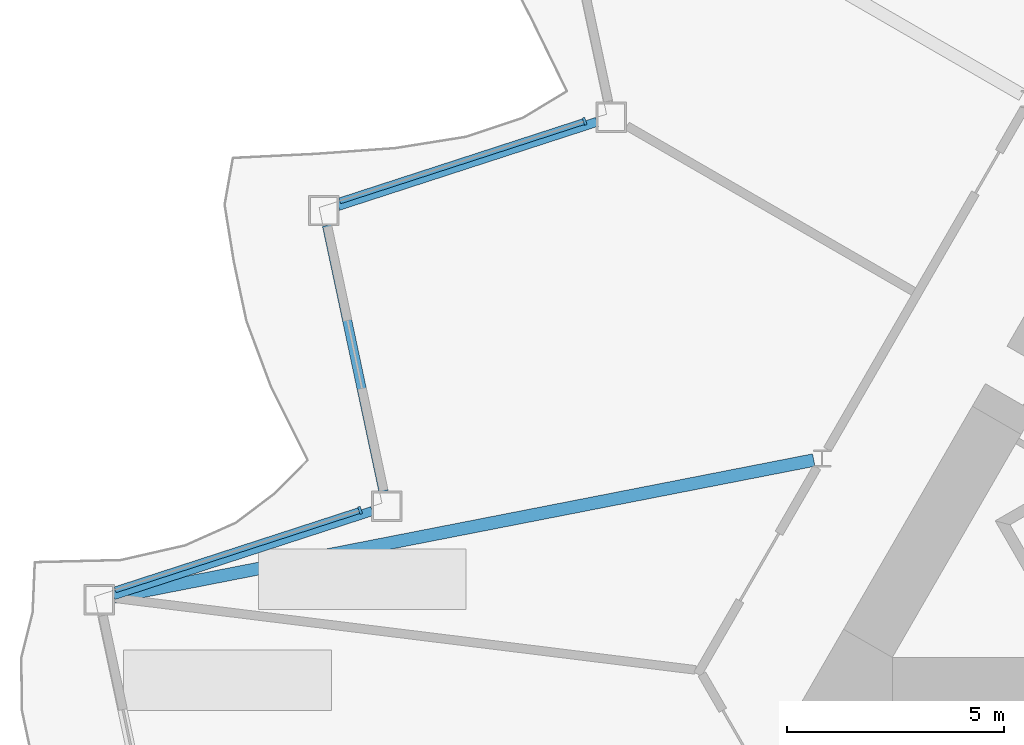
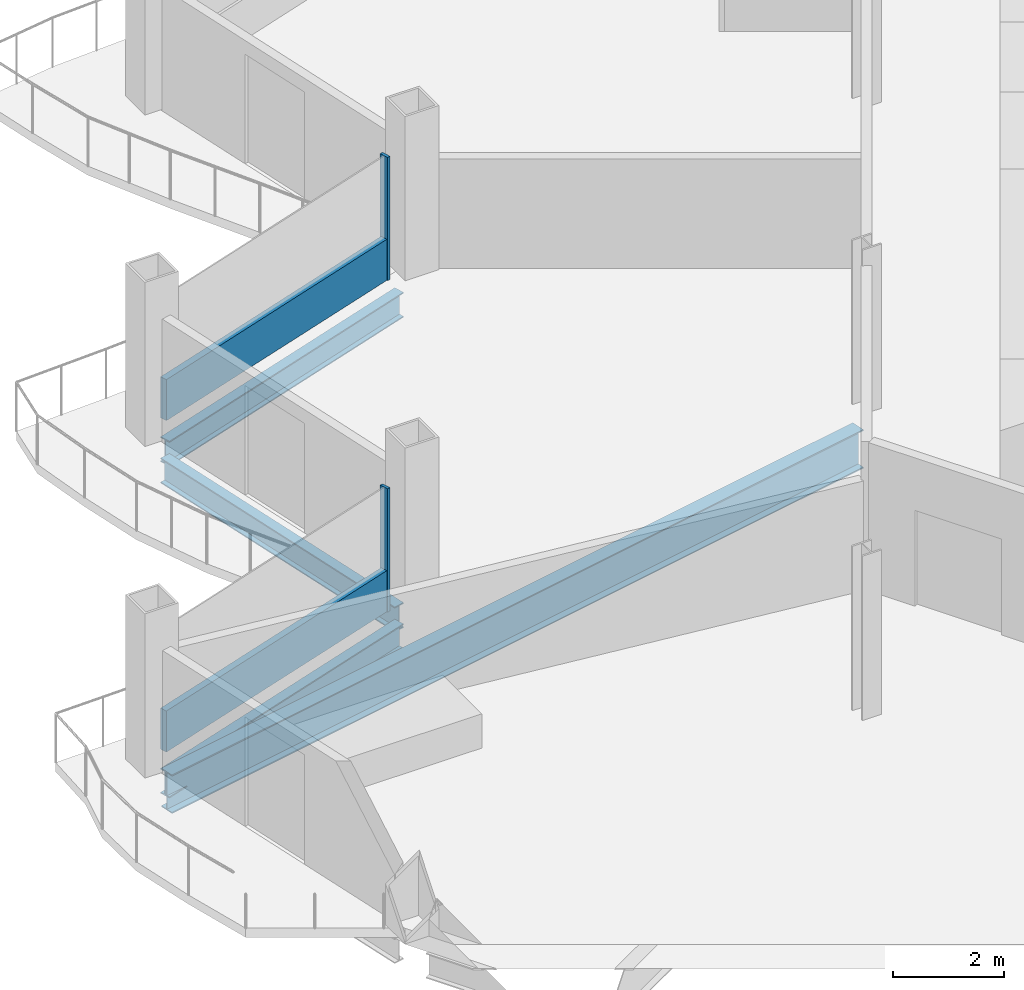
# One storey, part 5 of 24: 4 beams, 4 members, 2 elements without a shape of their own.
"""IFC4 building model written with IfcOpenShell, lengths in metres."""

from ifc_helpers import new_model, si_unit, direction, frame, origin, origin_2d, place, context, subcontext, project, spatial, rectangle, i_section, extrude, material, layer, layer_set, material_profile, profile_set, type_object, element, aggregate, save


model = new_model("IFC4")

# Units and contexts
model_context = context("Model", 3, precision=1e-05, world=origin(), true_north=direction((0.0, 1.0)))
body_context = subcontext(model_context, "Body", "Model", "MODEL_VIEW")
ifc_project = project(units=[si_unit("LENGTHUNIT", "METRE"), si_unit("AREAUNIT", "SQUARE_METRE"), si_unit("VOLUMEUNIT", "CUBIC_METRE"), si_unit("PLANEANGLEUNIT", "RADIAN"), si_unit("MASSUNIT", "GRAM", prefix="KILO")], contexts=[model_context])

# Site, building, storey
site_placement = place(None, origin())
site = spatial("IfcSite", under=ifc_project, at=site_placement, CompositionType="ELEMENT")
building_placement = place(site_placement, origin())
building = spatial("IfcBuilding", under=site, at=building_placement, Name="Cormorant Prow Tower", CompositionType="ELEMENT")
storey_placement = place(building_placement, frame((0.0, 0.0, 270.60009765625)))
storey = spatial("IfcBuildingStorey", under=building, at=storey_placement, Name="L61", CompositionType="ELEMENT", Elevation=270.60009765625)

# Curtain wall, member
ifc_material_1 = material(Name="Aluminium 6063-T6", Category="aluminium")
ifc_layer = layer(ifc_material_1, 0.179931640625)
ifc_layer_set = layer_set([ifc_layer], Name="Aluminium 6063-T6")
curtain_wall_type = type_object("IfcCurtainWallType", Name="Hotel unitised curtain wall 180", PredefinedType="NOTDEFINED", material=ifc_layer_set)
curtain_wall_1_placement = place(storey_placement, origin())
curtain_wall_1 = element("IfcCurtainWall", 1, at=curtain_wall_1_placement, inside=storey, type_object=curtain_wall_type, Name="Hotel curtain wall WNW06", PredefinedType="NOTDEFINED")
ifc_material_2 = material(Name="Aluminium 6063-T6", Category="aluminium")
ifc_material_profile_1 = material_profile(ifc_material_2, rectangle(XDim=0.179931640625, YDim=0.06005859375, at=origin_2d()), Name="Hotel mullion 60x180")
ifc_profile_set_1 = profile_set([ifc_material_profile_1], Name="Aluminium 6063-T6")
member_type_1 = type_object("IfcMemberType", Name="Hotel mullion 60x180", PredefinedType="MULLION", material=ifc_profile_set_1)
member_1_placement = place(storey_placement, frame((-19.852294921875, 5.0185546875, 0.0), z_axis=(0.0, 0.0, 1.0), x_axis=(0.309016992698, -0.95105651684, 0.0)))
member_1 = element("IfcMember", 2, at=member_1_placement, type_object=member_type_1, Name="Hotel mullion WNW06", PredefinedType="MULLION", context=body_context, shape_type="SweptSolid", body=[
    extrude(rectangle(XDim=0.179931640625, YDim=0.06005859375, at=origin_2d()), origin(), (0.0, 0.0, 1.0), 2.70068359375),
])

curtain_wall_2_placement = place(storey_placement, origin())
curtain_wall_2 = element("IfcCurtainWall", 3, at=curtain_wall_2_placement, inside=storey, type_object=curtain_wall_type, Name="Hotel curtain wall WNW08", PredefinedType="NOTDEFINED")
member_2_placement = place(storey_placement, frame((-25.037353515625, -3.96240234375, 0.0), z_axis=(0.0, 0.0, 1.0), x_axis=(0.309016992698, -0.95105651684, 0.0)))
member_2 = element("IfcMember", 4, at=member_2_placement, type_object=member_type_1, Name="Hotel mullion WNW08", PredefinedType="MULLION", context=body_context, shape_type="SweptSolid", body=[
    extrude(rectangle(XDim=0.179931640625, YDim=0.06005859375, at=origin_2d()), origin(), (0.0, 0.0, 1.0), 2.70068359375),
])

# Member
ifc_material_3 = material(Name="Terracotta", Category="masonry")
ifc_material_profile_2 = material_profile(ifc_material_3, rectangle(XDim=0.139892578125, YDim=0.89990234375, at=origin_2d()), Name="Hotel terracotta spandrel rail 140x900")
ifc_profile_set_2 = profile_set([ifc_material_profile_2], Name="Terracotta")
member_type_2 = type_object("IfcMemberType", Name="Hotel terracotta spandrel rail 140x900", PredefinedType="USERDEFINED", material=ifc_profile_set_2)
member_3_placement = place(storey_placement, frame((-19.880615234375, 5.00927734375, 0.449951171875), z_axis=(-0.951061968074, -0.309000215022, 0.0), x_axis=(0.309000215022, -0.951061968074, 0.0)))
member_3 = element("IfcMember", 5, at=member_3_placement, type_object=member_type_2, Name="Hotel spandrel rail WNW06", ObjectType="TRANSOM", PredefinedType="USERDEFINED", context=body_context, shape_type="SweptSolid", body=[
    extrude(rectangle(XDim=0.139892578125, YDim=0.89990234375, at=origin_2d()), origin(), (0.0, 0.0, 1.0), 5.91552734375),
])

aggregate(curtain_wall_1, [member_1, member_3])

member_4_placement = place(storey_placement, frame((-25.06591796875, -3.9716796875, 0.449951171875), z_axis=(-0.951061968074, -0.309000215022, 0.0), x_axis=(0.309000215022, -0.951061968074, 0.0)))
member_4 = element("IfcMember", 6, at=member_4_placement, type_object=member_type_2, Name="Hotel spandrel rail WNW08", ObjectType="TRANSOM", PredefinedType="USERDEFINED", context=body_context, shape_type="SweptSolid", body=[
    extrude(rectangle(XDim=0.139892578125, YDim=0.89990234375, at=origin_2d()), origin(), (0.0, 0.0, 1.0), 5.91552734375),
])

aggregate(curtain_wall_2, [member_2, member_4])

# Beams
ifc_material_4 = material(Name="Structural steel ASTM A992 Gr 50", Category="steel")
ifc_material_profile_3 = material_profile(ifc_material_4, i_section(OverallWidth=0.29296875, OverallDepth=0.845703125, WebThickness=0.015380859375, FlangeThickness=0.0244140625, at=origin_2d()), Name="W33x141")
ifc_profile_set_3 = profile_set([ifc_material_profile_3], Name="Structural steel ASTM A992 Gr 50")
beam_type_1 = type_object("IfcBeamType", Name="Radial floor beam W33x141", PredefinedType="BEAM", material=ifc_profile_set_3)
beam_placement = place(storey_placement, frame((-14.5634765625, -2.80322265625, -0.77294921875), z_axis=(-0.981419133752, -0.191876220269, 0.0), x_axis=(0.191876220269, -0.981419133752, 0.0)))
element("IfcBeam", 7, at=beam_placement, inside=storey, type_object=beam_type_1, Name="Radial floor beam FB2 4 L61", PredefinedType="BEAM", context=body_context, shape_type="SweptSolid", body=[
    extrude(i_section(OverallWidth=0.29296875, OverallDepth=0.845703125, WebThickness=0.015380859375, FlangeThickness=0.0244140625, at=origin_2d()), origin(), (0.0, 0.0, 1.0), 16.462158203125),
])
ifc_material_5 = material(Name="Structural steel ASTM A992 Gr 50", Category="steel")
ifc_material_profile_4 = material_profile(ifc_material_5, i_section(OverallWidth=0.2138671875, OverallDepth=0.549072265625, WebThickness=0.0146484375, FlangeThickness=0.023681640625, at=origin_2d()), Name="W21x93")
ifc_profile_set_4 = profile_set([ifc_material_profile_4], Name="Structural steel ASTM A992 Gr 50")
beam_type_2 = type_object("IfcBeamType", Name="Spandrel beam W21x93", PredefinedType="SPANDREL", material=ifc_profile_set_4)
for number, where, z_axis, x_axis, name in (
    (8, (-19.568115234375, 5.00634765625, -0.624755859375), (-0.951061771288, -0.309000820701, 0.0), (0.309000820701, -0.951061771288, 0.0), "Spandrel beam SB2 WNW06-WNW07 L61"),
    (9, (-25.80224609375, 2.61474609375, -0.624755859375), (0.207941499013, -0.978141264331, 0.0), (0.978141264331, 0.207941499013, 0.0), "Spandrel beam SB2 WNW07-WNW08 L61"),
    (10, (-24.75634765625, -3.97998046875, -0.624755859375), (-0.951061771288, -0.309000820701, 0.0), (0.309000820701, -0.951061771288, 0.0), "Spandrel beam SB2 WNW08-WNW09 L61"),
):
    element("IfcBeam", number, at=place(storey_placement, frame(where, z_axis=z_axis, x_axis=x_axis)), inside=storey, type_object=beam_type_2, Name=name, PredefinedType="SPANDREL", context=body_context, shape_type="SweptSolid", body=[
        extrude(i_section(OverallWidth=0.2138671875, OverallDepth=0.549072265625, WebThickness=0.0146484375, FlangeThickness=0.023681640625, at=origin_2d()), origin(), (0.0, 0.0, 1.0), 6.28125),
    ])

save(model, "model.ifc")
